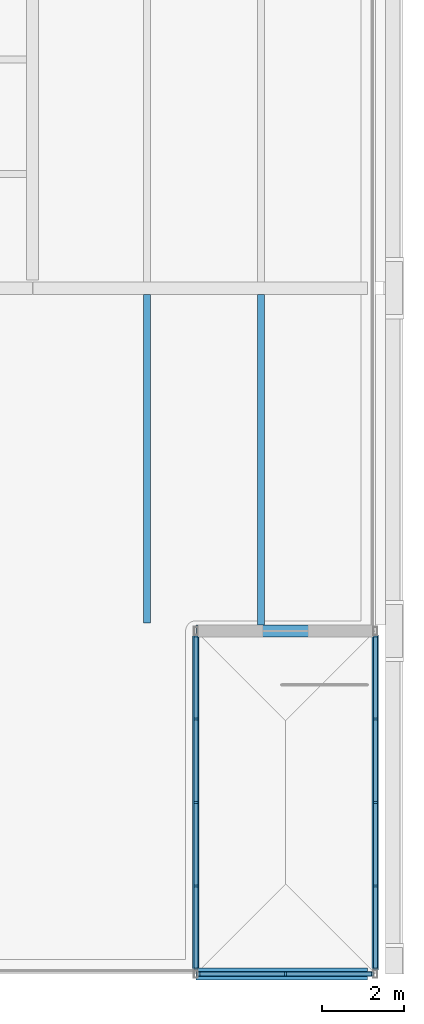
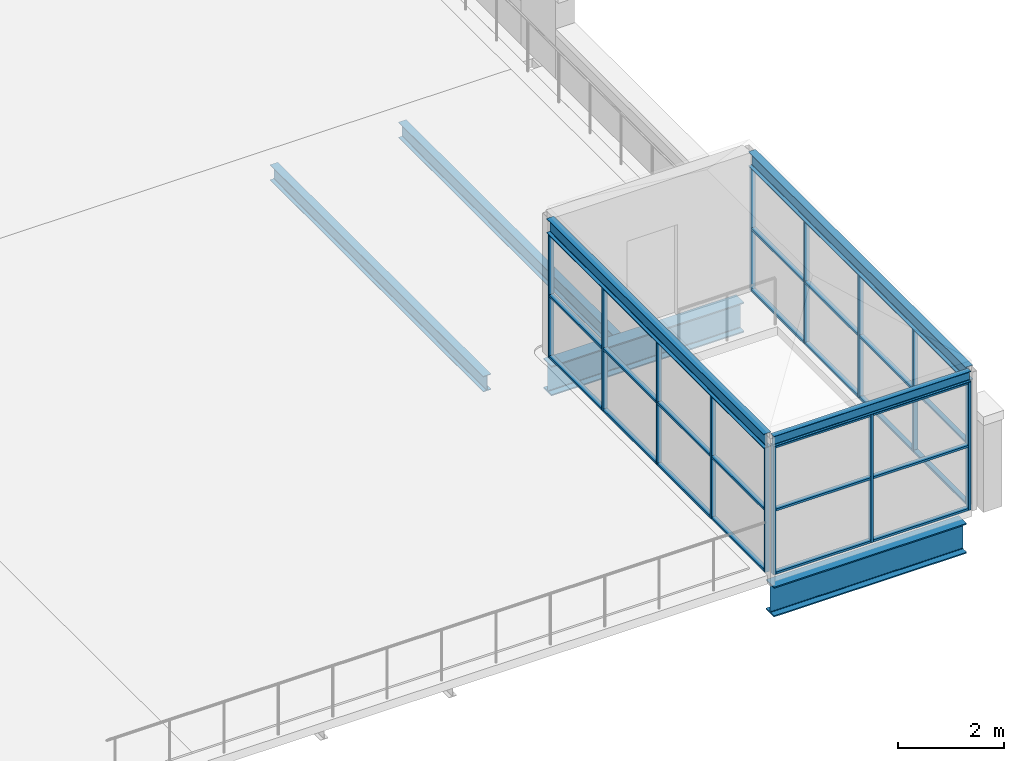
# One storey, part 26 of 58: 43 members, 7 beams, 3 elements without a shape of their own.
"""IFC4 building model written with IfcOpenShell, lengths in metres."""

from ifc_helpers import new_model, si_unit, direction, frame, origin, origin_2d, place, context, subcontext, project, spatial, rectangle, i_section, extrude, material, layer, layer_set, material_profile, profile_set, type_object, element, aggregate, save


model = new_model("IFC4")

# Units and contexts
model_context = context("Model", 3, precision=1e-05, world=origin(), true_north=direction((0.0, 1.0)))
body_context = subcontext(model_context, "Body", "Model", "MODEL_VIEW")
ifc_project = project(units=[si_unit("LENGTHUNIT", "METRE"), si_unit("AREAUNIT", "SQUARE_METRE"), si_unit("VOLUMEUNIT", "CUBIC_METRE"), si_unit("PLANEANGLEUNIT", "RADIAN"), si_unit("MASSUNIT", "GRAM", prefix="KILO")], contexts=[model_context])

# Site, building, storey
site_placement = place(None, origin())
site = spatial("IfcSite", under=ifc_project, at=site_placement, CompositionType="ELEMENT")
building_placement = place(site_placement, origin())
building = spatial("IfcBuilding", under=site, at=building_placement, Name="Galleria Vessillo Department Store", CompositionType="ELEMENT")
storey_placement = place(building_placement, frame((0.0, 0.0, 31.199951171875)))
storey = spatial("IfcBuildingStorey", under=building, at=storey_placement, Name="L06", CompositionType="ELEMENT", Elevation=31.199951171875)

# Curtain wall, members
ifc_material_1 = material(Name="Aluminium and glass curtain wall", Category="aluminium")
ifc_layer = layer(ifc_material_1, 0.10009765625)
ifc_layer_set = layer_set([ifc_layer], Name="Aluminium and glass curtain wall")
curtain_wall_type = type_object("IfcCurtainWallType", Name="Pavilion curtain wall CW5 2100 module", PredefinedType="NOTDEFINED", material=ifc_layer_set)
curtain_wall_1_placement = place(storey_placement, origin())
curtain_wall_1 = element("IfcCurtainWall", 1, at=curtain_wall_1_placement, inside=storey, type_object=curtain_wall_type, Name="Pavilion curtain wall CW5 2100 module PV-ST7-A", PredefinedType="NOTDEFINED")
ifc_material_2 = material(Name="Aluminium alloy 6063 T6", Category="aluminium")
ifc_material_profile_1 = material_profile(ifc_material_2, rectangle(XDim=0.10009765625, YDim=0.050048828125, at=origin_2d()), Name="AL 50x100")
ifc_profile_set_1 = profile_set([ifc_material_profile_1], Name="Aluminium alloy 6063 T6")
member_type_1 = type_object("IfcMemberType", Name="Aluminium mullion 50 x 100", PredefinedType="MULLION", material=ifc_profile_set_1)
member_1_placement = place(storey_placement, frame((113.199951171875, 0.125, 0.0), z_axis=(0.0, 0.0, 1.0), x_axis=(-1.0, 0.0, 0.0)))
member_1 = element("IfcMember", 2, at=member_1_placement, type_object=member_type_1, Name="CW5 mullion 1", PredefinedType="MULLION", context=body_context, shape_type="SweptSolid", body=[
    extrude(rectangle(XDim=0.10009765625, YDim=0.050048828125, at=origin_2d()), origin(), (0.0, 0.0, 1.0), 2.8701171875),
])
member_2_placement = place(storey_placement, frame((113.199951171875, 2.14990234375, 0.0), z_axis=(0.0, 0.0, 1.0), x_axis=(-1.0, 0.0, 0.0)))
member_2 = element("IfcMember", 3, at=member_2_placement, type_object=member_type_1, Name="CW5 mullion 2", PredefinedType="MULLION", context=body_context, shape_type="SweptSolid", body=[
    extrude(rectangle(XDim=0.10009765625, YDim=0.050048828125, at=origin_2d()), origin(), (0.0, 0.0, 1.0), 2.8701171875),
])
member_3_placement = place(storey_placement, frame((113.199951171875, 4.199951171875, 0.0), z_axis=(0.0, 0.0, 1.0), x_axis=(-1.0, 0.0, 0.0)))
member_3 = element("IfcMember", 4, at=member_3_placement, type_object=member_type_1, Name="CW5 mullion 3", PredefinedType="MULLION", context=body_context, shape_type="SweptSolid", body=[
    extrude(rectangle(XDim=0.10009765625, YDim=0.050048828125, at=origin_2d()), origin(), (0.0, 0.0, 1.0), 2.8701171875),
])
member_4_placement = place(storey_placement, frame((113.199951171875, 6.25, 0.0), z_axis=(0.0, 0.0, 1.0), x_axis=(-1.0, 0.0, 0.0)))
member_4 = element("IfcMember", 5, at=member_4_placement, type_object=member_type_1, Name="CW5 mullion 4", PredefinedType="MULLION", context=body_context, shape_type="SweptSolid", body=[
    extrude(rectangle(XDim=0.10009765625, YDim=0.050048828125, at=origin_2d()), origin(), (0.0, 0.0, 1.0), 2.8701171875),
])
member_5_placement = place(storey_placement, frame((113.199951171875, 8.27490234375, 0.0), z_axis=(0.0, 0.0, 1.0), x_axis=(-1.0, 0.0, 0.0)))
member_5 = element("IfcMember", 6, at=member_5_placement, type_object=member_type_1, Name="CW5 mullion 5", PredefinedType="MULLION", context=body_context, shape_type="SweptSolid", body=[
    extrude(rectangle(XDim=0.10009765625, YDim=0.050048828125, at=origin_2d()), origin(), (0.0, 0.0, 1.0), 2.8701171875),
])

curtain_wall_2_placement = place(storey_placement, origin())
curtain_wall_2 = element("IfcCurtainWall", 7, at=curtain_wall_2_placement, inside=storey, type_object=curtain_wall_type, Name="Pavilion curtain wall CW5 2100 module PV-ST7-B", PredefinedType="NOTDEFINED")
member_6_placement = place(storey_placement, frame((117.60009765625, 0.125, 0.0), z_axis=(0.0, 0.0, 1.0), x_axis=(-1.0, 0.0, 0.0)))
member_6 = element("IfcMember", 8, at=member_6_placement, type_object=member_type_1, Name="CW5 mullion 1", PredefinedType="MULLION", context=body_context, shape_type="SweptSolid", body=[
    extrude(rectangle(XDim=0.10009765625, YDim=0.050048828125, at=origin_2d()), origin(), (0.0, 0.0, 1.0), 2.8701171875),
])
member_7_placement = place(storey_placement, frame((117.60009765625, 2.14990234375, 0.0), z_axis=(0.0, 0.0, 1.0), x_axis=(-1.0, 0.0, 0.0)))
member_7 = element("IfcMember", 9, at=member_7_placement, type_object=member_type_1, Name="CW5 mullion 2", PredefinedType="MULLION", context=body_context, shape_type="SweptSolid", body=[
    extrude(rectangle(XDim=0.10009765625, YDim=0.050048828125, at=origin_2d()), origin(), (0.0, 0.0, 1.0), 2.8701171875),
])
member_8_placement = place(storey_placement, frame((117.60009765625, 4.199951171875, 0.0), z_axis=(0.0, 0.0, 1.0), x_axis=(-1.0, 0.0, 0.0)))
member_8 = element("IfcMember", 10, at=member_8_placement, type_object=member_type_1, Name="CW5 mullion 3", PredefinedType="MULLION", context=body_context, shape_type="SweptSolid", body=[
    extrude(rectangle(XDim=0.10009765625, YDim=0.050048828125, at=origin_2d()), origin(), (0.0, 0.0, 1.0), 2.8701171875),
])
member_9_placement = place(storey_placement, frame((117.60009765625, 6.25, 0.0), z_axis=(0.0, 0.0, 1.0), x_axis=(-1.0, 0.0, 0.0)))
member_9 = element("IfcMember", 11, at=member_9_placement, type_object=member_type_1, Name="CW5 mullion 4", PredefinedType="MULLION", context=body_context, shape_type="SweptSolid", body=[
    extrude(rectangle(XDim=0.10009765625, YDim=0.050048828125, at=origin_2d()), origin(), (0.0, 0.0, 1.0), 2.8701171875),
])
member_10_placement = place(storey_placement, frame((117.60009765625, 8.27490234375, 0.0), z_axis=(0.0, 0.0, 1.0), x_axis=(-1.0, 0.0, 0.0)))
member_10 = element("IfcMember", 12, at=member_10_placement, type_object=member_type_1, Name="CW5 mullion 5", PredefinedType="MULLION", context=body_context, shape_type="SweptSolid", body=[
    extrude(rectangle(XDim=0.10009765625, YDim=0.050048828125, at=origin_2d()), origin(), (0.0, 0.0, 1.0), 2.8701171875),
])

curtain_wall_3_placement = place(storey_placement, origin())
curtain_wall_3 = element("IfcCurtainWall", 13, at=curtain_wall_3_placement, inside=storey, type_object=curtain_wall_type, Name="Pavilion curtain wall CW5 2100 module PV-ST7-F", PredefinedType="NOTDEFINED")
member_11_placement = place(storey_placement, frame((113.27490234375, 0.0, 0.0), z_axis=(0.0, 0.0, 1.0), x_axis=(0.0, 1.0, 0.0)))
member_11 = element("IfcMember", 14, at=member_11_placement, type_object=member_type_1, Name="CW5 mullion 1", PredefinedType="MULLION", context=body_context, shape_type="SweptSolid", body=[
    extrude(rectangle(XDim=0.10009765625, YDim=0.050048828125, at=origin_2d()), origin(), (0.0, 0.0, 1.0), 2.960205078125),
])
member_12_placement = place(storey_placement, frame((115.39990234375, 0.0, 0.0), z_axis=(0.0, 0.0, 1.0), x_axis=(0.0, 1.0, 0.0)))
member_12 = element("IfcMember", 15, at=member_12_placement, type_object=member_type_1, Name="CW5 mullion 2", PredefinedType="MULLION", context=body_context, shape_type="SweptSolid", body=[
    extrude(rectangle(XDim=0.10009765625, YDim=0.050048828125, at=origin_2d()), origin(), (0.0, 0.0, 1.0), 2.960205078125),
])
member_13_placement = place(storey_placement, frame((117.525146484375, 0.0, 0.0), z_axis=(0.0, 0.0, 1.0), x_axis=(0.0, 1.0, 0.0)))
member_13 = element("IfcMember", 16, at=member_13_placement, type_object=member_type_1, Name="CW5 mullion 3", PredefinedType="MULLION", context=body_context, shape_type="SweptSolid", body=[
    extrude(rectangle(XDim=0.10009765625, YDim=0.050048828125, at=origin_2d()), origin(), (0.0, 0.0, 1.0), 2.960205078125),
])

# Member
ifc_material_3 = material(Name="Aluminium alloy 6063 T6", Category="aluminium")
ifc_material_profile_2 = material_profile(ifc_material_3, rectangle(XDim=0.10009765625, YDim=0.050048828125, at=origin_2d()), Name="AL 50x100")
ifc_profile_set_2 = profile_set([ifc_material_profile_2], Name="Aluminium alloy 6063 T6")
member_type_2 = type_object("IfcMemberType", Name="Aluminium transom 50 x 100", PredefinedType="USERDEFINED", material=ifc_profile_set_2)
member_14_placement = place(storey_placement, frame((113.199951171875, 0.14990234375, 0.025146484375), z_axis=(0.0, 1.0, 0.0), x_axis=(-1.0, 0.0, 0.0)))
member_14 = element("IfcMember", 17, at=member_14_placement, type_object=member_type_2, Name="CW5 transom 1.1", ObjectType="TRANSOM", PredefinedType="USERDEFINED", context=body_context, shape_type="SweptSolid", body=[
    extrude(rectangle(XDim=0.10009765625, YDim=0.050048828125, at=origin_2d()), origin(), (0.0, 0.0, 1.0), 1.97509765625),
])

member_15_placement = place(storey_placement, frame((113.199951171875, 0.14990234375, 1.43505859375), z_axis=(0.0, 1.0, 0.0), x_axis=(-1.0, 0.0, 0.0)))
member_15 = element("IfcMember", 18, at=member_15_placement, type_object=member_type_2, Name="CW5 transom 1.2", ObjectType="TRANSOM", PredefinedType="USERDEFINED", context=body_context, shape_type="SweptSolid", body=[
    extrude(rectangle(XDim=0.10009765625, YDim=0.050048828125, at=origin_2d()), origin(), (0.0, 0.0, 1.0), 1.97509765625),
])

member_16_placement = place(storey_placement, frame((113.199951171875, 0.14990234375, 2.84521484375), z_axis=(0.0, 1.0, 0.0), x_axis=(-1.0, 0.0, 0.0)))
member_16 = element("IfcMember", 19, at=member_16_placement, type_object=member_type_2, Name="CW5 transom 1.3", ObjectType="TRANSOM", PredefinedType="USERDEFINED", context=body_context, shape_type="SweptSolid", body=[
    extrude(rectangle(XDim=0.10009765625, YDim=0.050048828125, at=origin_2d()), origin(), (0.0, 0.0, 1.0), 1.97509765625),
])

member_17_placement = place(storey_placement, frame((113.199951171875, 2.175048828125, 0.025146484375), z_axis=(0.0, 1.0, 0.0), x_axis=(-1.0, 0.0, 0.0)))
member_17 = element("IfcMember", 20, at=member_17_placement, type_object=member_type_2, Name="CW5 transom 2.1", ObjectType="TRANSOM", PredefinedType="USERDEFINED", context=body_context, shape_type="SweptSolid", body=[
    extrude(rectangle(XDim=0.10009765625, YDim=0.050048828125, at=origin_2d()), origin(), (0.0, 0.0, 1.0), 2.0),
])

member_18_placement = place(storey_placement, frame((113.199951171875, 2.175048828125, 1.43505859375), z_axis=(0.0, 1.0, 0.0), x_axis=(-1.0, 0.0, 0.0)))
member_18 = element("IfcMember", 21, at=member_18_placement, type_object=member_type_2, Name="CW5 transom 2.2", ObjectType="TRANSOM", PredefinedType="USERDEFINED", context=body_context, shape_type="SweptSolid", body=[
    extrude(rectangle(XDim=0.10009765625, YDim=0.050048828125, at=origin_2d()), origin(), (0.0, 0.0, 1.0), 2.0),
])

member_19_placement = place(storey_placement, frame((113.199951171875, 2.175048828125, 2.84521484375), z_axis=(0.0, 1.0, 0.0), x_axis=(-1.0, 0.0, 0.0)))
member_19 = element("IfcMember", 22, at=member_19_placement, type_object=member_type_2, Name="CW5 transom 2.3", ObjectType="TRANSOM", PredefinedType="USERDEFINED", context=body_context, shape_type="SweptSolid", body=[
    extrude(rectangle(XDim=0.10009765625, YDim=0.050048828125, at=origin_2d()), origin(), (0.0, 0.0, 1.0), 2.0),
])

member_20_placement = place(storey_placement, frame((113.199951171875, 4.224853515625, 0.025146484375), z_axis=(0.0, 1.0, 0.0), x_axis=(-1.0, 0.0, 0.0)))
member_20 = element("IfcMember", 23, at=member_20_placement, type_object=member_type_2, Name="CW5 transom 3.1", ObjectType="TRANSOM", PredefinedType="USERDEFINED", context=body_context, shape_type="SweptSolid", body=[
    extrude(rectangle(XDim=0.10009765625, YDim=0.050048828125, at=origin_2d()), origin(), (0.0, 0.0, 1.0), 2.0),
])

member_21_placement = place(storey_placement, frame((113.199951171875, 4.224853515625, 1.43505859375), z_axis=(0.0, 1.0, 0.0), x_axis=(-1.0, 0.0, 0.0)))
member_21 = element("IfcMember", 24, at=member_21_placement, type_object=member_type_2, Name="CW5 transom 3.2", ObjectType="TRANSOM", PredefinedType="USERDEFINED", context=body_context, shape_type="SweptSolid", body=[
    extrude(rectangle(XDim=0.10009765625, YDim=0.050048828125, at=origin_2d()), origin(), (0.0, 0.0, 1.0), 2.0),
])

member_22_placement = place(storey_placement, frame((113.199951171875, 4.224853515625, 2.84521484375), z_axis=(0.0, 1.0, 0.0), x_axis=(-1.0, 0.0, 0.0)))
member_22 = element("IfcMember", 25, at=member_22_placement, type_object=member_type_2, Name="CW5 transom 3.3", ObjectType="TRANSOM", PredefinedType="USERDEFINED", context=body_context, shape_type="SweptSolid", body=[
    extrude(rectangle(XDim=0.10009765625, YDim=0.050048828125, at=origin_2d()), origin(), (0.0, 0.0, 1.0), 2.0),
])

member_23_placement = place(storey_placement, frame((113.199951171875, 6.27490234375, 0.025146484375), z_axis=(0.0, 1.0, 0.0), x_axis=(-1.0, 0.0, 0.0)))
member_23 = element("IfcMember", 26, at=member_23_placement, type_object=member_type_2, Name="CW5 transom 4.1", ObjectType="TRANSOM", PredefinedType="USERDEFINED", context=body_context, shape_type="SweptSolid", body=[
    extrude(rectangle(XDim=0.10009765625, YDim=0.050048828125, at=origin_2d()), origin(), (0.0, 0.0, 1.0), 1.97509765625),
])

member_24_placement = place(storey_placement, frame((113.199951171875, 6.27490234375, 1.43505859375), z_axis=(0.0, 1.0, 0.0), x_axis=(-1.0, 0.0, 0.0)))
member_24 = element("IfcMember", 27, at=member_24_placement, type_object=member_type_2, Name="CW5 transom 4.2", ObjectType="TRANSOM", PredefinedType="USERDEFINED", context=body_context, shape_type="SweptSolid", body=[
    extrude(rectangle(XDim=0.10009765625, YDim=0.050048828125, at=origin_2d()), origin(), (0.0, 0.0, 1.0), 1.97509765625),
])

member_25_placement = place(storey_placement, frame((113.199951171875, 6.27490234375, 2.84521484375), z_axis=(0.0, 1.0, 0.0), x_axis=(-1.0, 0.0, 0.0)))
member_25 = element("IfcMember", 28, at=member_25_placement, type_object=member_type_2, Name="CW5 transom 4.3", ObjectType="TRANSOM", PredefinedType="USERDEFINED", context=body_context, shape_type="SweptSolid", body=[
    extrude(rectangle(XDim=0.10009765625, YDim=0.050048828125, at=origin_2d()), origin(), (0.0, 0.0, 1.0), 1.97509765625),
])

aggregate(curtain_wall_1, [member_1, member_2, member_3, member_4, member_5, member_14, member_15, member_16, member_17, member_18, member_19, member_20, member_21, member_22, member_23, member_24, member_25])

member_26_placement = place(storey_placement, frame((117.60009765625, 0.14990234375, 0.025146484375), z_axis=(0.0, 1.0, 0.0), x_axis=(-1.0, 0.0, 0.0)))
member_26 = element("IfcMember", 29, at=member_26_placement, type_object=member_type_2, Name="CW5 transom 1.1", ObjectType="TRANSOM", PredefinedType="USERDEFINED", context=body_context, shape_type="SweptSolid", body=[
    extrude(rectangle(XDim=0.10009765625, YDim=0.050048828125, at=origin_2d()), origin(), (0.0, 0.0, 1.0), 1.97509765625),
])

member_27_placement = place(storey_placement, frame((117.60009765625, 0.14990234375, 1.43505859375), z_axis=(0.0, 1.0, 0.0), x_axis=(-1.0, 0.0, 0.0)))
member_27 = element("IfcMember", 30, at=member_27_placement, type_object=member_type_2, Name="CW5 transom 1.2", ObjectType="TRANSOM", PredefinedType="USERDEFINED", context=body_context, shape_type="SweptSolid", body=[
    extrude(rectangle(XDim=0.10009765625, YDim=0.050048828125, at=origin_2d()), origin(), (0.0, 0.0, 1.0), 1.97509765625),
])

member_28_placement = place(storey_placement, frame((117.60009765625, 0.14990234375, 2.84521484375), z_axis=(0.0, 1.0, 0.0), x_axis=(-1.0, 0.0, 0.0)))
member_28 = element("IfcMember", 31, at=member_28_placement, type_object=member_type_2, Name="CW5 transom 1.3", ObjectType="TRANSOM", PredefinedType="USERDEFINED", context=body_context, shape_type="SweptSolid", body=[
    extrude(rectangle(XDim=0.10009765625, YDim=0.050048828125, at=origin_2d()), origin(), (0.0, 0.0, 1.0), 1.97509765625),
])

member_29_placement = place(storey_placement, frame((117.60009765625, 2.175048828125, 0.025146484375), z_axis=(0.0, 1.0, 0.0), x_axis=(-1.0, 0.0, 0.0)))
member_29 = element("IfcMember", 32, at=member_29_placement, type_object=member_type_2, Name="CW5 transom 2.1", ObjectType="TRANSOM", PredefinedType="USERDEFINED", context=body_context, shape_type="SweptSolid", body=[
    extrude(rectangle(XDim=0.10009765625, YDim=0.050048828125, at=origin_2d()), origin(), (0.0, 0.0, 1.0), 2.0),
])

member_30_placement = place(storey_placement, frame((117.60009765625, 2.175048828125, 1.43505859375), z_axis=(0.0, 1.0, 0.0), x_axis=(-1.0, 0.0, 0.0)))
member_30 = element("IfcMember", 33, at=member_30_placement, type_object=member_type_2, Name="CW5 transom 2.2", ObjectType="TRANSOM", PredefinedType="USERDEFINED", context=body_context, shape_type="SweptSolid", body=[
    extrude(rectangle(XDim=0.10009765625, YDim=0.050048828125, at=origin_2d()), origin(), (0.0, 0.0, 1.0), 2.0),
])

member_31_placement = place(storey_placement, frame((117.60009765625, 2.175048828125, 2.84521484375), z_axis=(0.0, 1.0, 0.0), x_axis=(-1.0, 0.0, 0.0)))
member_31 = element("IfcMember", 34, at=member_31_placement, type_object=member_type_2, Name="CW5 transom 2.3", ObjectType="TRANSOM", PredefinedType="USERDEFINED", context=body_context, shape_type="SweptSolid", body=[
    extrude(rectangle(XDim=0.10009765625, YDim=0.050048828125, at=origin_2d()), origin(), (0.0, 0.0, 1.0), 2.0),
])

member_32_placement = place(storey_placement, frame((117.60009765625, 4.224853515625, 0.025146484375), z_axis=(0.0, 1.0, 0.0), x_axis=(-1.0, 0.0, 0.0)))
member_32 = element("IfcMember", 35, at=member_32_placement, type_object=member_type_2, Name="CW5 transom 3.1", ObjectType="TRANSOM", PredefinedType="USERDEFINED", context=body_context, shape_type="SweptSolid", body=[
    extrude(rectangle(XDim=0.10009765625, YDim=0.050048828125, at=origin_2d()), origin(), (0.0, 0.0, 1.0), 2.0),
])

member_33_placement = place(storey_placement, frame((117.60009765625, 4.224853515625, 1.43505859375), z_axis=(0.0, 1.0, 0.0), x_axis=(-1.0, 0.0, 0.0)))
member_33 = element("IfcMember", 36, at=member_33_placement, type_object=member_type_2, Name="CW5 transom 3.2", ObjectType="TRANSOM", PredefinedType="USERDEFINED", context=body_context, shape_type="SweptSolid", body=[
    extrude(rectangle(XDim=0.10009765625, YDim=0.050048828125, at=origin_2d()), origin(), (0.0, 0.0, 1.0), 2.0),
])

member_34_placement = place(storey_placement, frame((117.60009765625, 4.224853515625, 2.84521484375), z_axis=(0.0, 1.0, 0.0), x_axis=(-1.0, 0.0, 0.0)))
member_34 = element("IfcMember", 37, at=member_34_placement, type_object=member_type_2, Name="CW5 transom 3.3", ObjectType="TRANSOM", PredefinedType="USERDEFINED", context=body_context, shape_type="SweptSolid", body=[
    extrude(rectangle(XDim=0.10009765625, YDim=0.050048828125, at=origin_2d()), origin(), (0.0, 0.0, 1.0), 2.0),
])

member_35_placement = place(storey_placement, frame((117.60009765625, 6.27490234375, 0.025146484375), z_axis=(0.0, 1.0, 0.0), x_axis=(-1.0, 0.0, 0.0)))
member_35 = element("IfcMember", 38, at=member_35_placement, type_object=member_type_2, Name="CW5 transom 4.1", ObjectType="TRANSOM", PredefinedType="USERDEFINED", context=body_context, shape_type="SweptSolid", body=[
    extrude(rectangle(XDim=0.10009765625, YDim=0.050048828125, at=origin_2d()), origin(), (0.0, 0.0, 1.0), 1.97509765625),
])

member_36_placement = place(storey_placement, frame((117.60009765625, 6.27490234375, 1.43505859375), z_axis=(0.0, 1.0, 0.0), x_axis=(-1.0, 0.0, 0.0)))
member_36 = element("IfcMember", 39, at=member_36_placement, type_object=member_type_2, Name="CW5 transom 4.2", ObjectType="TRANSOM", PredefinedType="USERDEFINED", context=body_context, shape_type="SweptSolid", body=[
    extrude(rectangle(XDim=0.10009765625, YDim=0.050048828125, at=origin_2d()), origin(), (0.0, 0.0, 1.0), 1.97509765625),
])

member_37_placement = place(storey_placement, frame((117.60009765625, 6.27490234375, 2.84521484375), z_axis=(0.0, 1.0, 0.0), x_axis=(-1.0, 0.0, 0.0)))
member_37 = element("IfcMember", 40, at=member_37_placement, type_object=member_type_2, Name="CW5 transom 4.3", ObjectType="TRANSOM", PredefinedType="USERDEFINED", context=body_context, shape_type="SweptSolid", body=[
    extrude(rectangle(XDim=0.10009765625, YDim=0.050048828125, at=origin_2d()), origin(), (0.0, 0.0, 1.0), 1.97509765625),
])

aggregate(curtain_wall_2, [member_6, member_7, member_8, member_9, member_10, member_26, member_27, member_28, member_29, member_30, member_31, member_32, member_33, member_34, member_35, member_36, member_37])

member_38_placement = place(storey_placement, frame((113.300048828125, 0.0, 0.025146484375), z_axis=(1.0, 0.0, 0.0), x_axis=(0.0, 1.0, 0.0)))
member_38 = element("IfcMember", 41, at=member_38_placement, type_object=member_type_2, Name="CW5 transom 1.1", ObjectType="TRANSOM", PredefinedType="USERDEFINED", context=body_context, shape_type="SweptSolid", body=[
    extrude(rectangle(XDim=0.10009765625, YDim=0.050048828125, at=origin_2d()), origin(), (0.0, 0.0, 1.0), 2.074951171875),
])

member_39_placement = place(storey_placement, frame((113.300048828125, 0.0, 1.480224609375), z_axis=(1.0, 0.0, 0.0), x_axis=(0.0, 1.0, 0.0)))
member_39 = element("IfcMember", 42, at=member_39_placement, type_object=member_type_2, Name="CW5 transom 1.2", ObjectType="TRANSOM", PredefinedType="USERDEFINED", context=body_context, shape_type="SweptSolid", body=[
    extrude(rectangle(XDim=0.10009765625, YDim=0.050048828125, at=origin_2d()), origin(), (0.0, 0.0, 1.0), 2.074951171875),
])

member_40_placement = place(storey_placement, frame((113.300048828125, 0.0, 2.935302734375), z_axis=(1.0, 0.0, 0.0), x_axis=(0.0, 1.0, 0.0)))
member_40 = element("IfcMember", 43, at=member_40_placement, type_object=member_type_2, Name="CW5 transom 1.3", ObjectType="TRANSOM", PredefinedType="USERDEFINED", context=body_context, shape_type="SweptSolid", body=[
    extrude(rectangle(XDim=0.10009765625, YDim=0.050048828125, at=origin_2d()), origin(), (0.0, 0.0, 1.0), 2.074951171875),
])

member_41_placement = place(storey_placement, frame((115.425048828125, 0.0, 0.025146484375), z_axis=(1.0, 0.0, 0.0), x_axis=(0.0, 1.0, 0.0)))
member_41 = element("IfcMember", 44, at=member_41_placement, type_object=member_type_2, Name="CW5 transom 2.1", ObjectType="TRANSOM", PredefinedType="USERDEFINED", context=body_context, shape_type="SweptSolid", body=[
    extrude(rectangle(XDim=0.10009765625, YDim=0.050048828125, at=origin_2d()), origin(), (0.0, 0.0, 1.0), 2.074951171875),
])

member_42_placement = place(storey_placement, frame((115.425048828125, 0.0, 1.480224609375), z_axis=(1.0, 0.0, 0.0), x_axis=(0.0, 1.0, 0.0)))
member_42 = element("IfcMember", 45, at=member_42_placement, type_object=member_type_2, Name="CW5 transom 2.2", ObjectType="TRANSOM", PredefinedType="USERDEFINED", context=body_context, shape_type="SweptSolid", body=[
    extrude(rectangle(XDim=0.10009765625, YDim=0.050048828125, at=origin_2d()), origin(), (0.0, 0.0, 1.0), 2.074951171875),
])

member_43_placement = place(storey_placement, frame((115.425048828125, 0.0, 2.935302734375), z_axis=(1.0, 0.0, 0.0), x_axis=(0.0, 1.0, 0.0)))
member_43 = element("IfcMember", 46, at=member_43_placement, type_object=member_type_2, Name="CW5 transom 2.3", ObjectType="TRANSOM", PredefinedType="USERDEFINED", context=body_context, shape_type="SweptSolid", body=[
    extrude(rectangle(XDim=0.10009765625, YDim=0.050048828125, at=origin_2d()), origin(), (0.0, 0.0, 1.0), 2.074951171875),
])

aggregate(curtain_wall_3, [member_11, member_12, member_13, member_38, member_39, member_40, member_41, member_42, member_43])

# Beams
ifc_material_4 = material(Name="Steel S355 J2", Category="steel")
ifc_material_profile_3 = material_profile(ifc_material_4, i_section(OverallWidth=0.169921875, OverallDepth=0.360107421875, WebThickness=0.008056640625, FlangeThickness=0.0126953125, FilletRadius=0.01806640625, at=origin_2d()), Name="IPE 360")
ifc_profile_set_3 = profile_set([ifc_material_profile_3], Name="Steel S355 J2")
beam_type_1 = type_object("IfcBeamType", Name="Floor joist IPE 360", PredefinedType="JOIST", material=ifc_profile_set_3)
beam_1_placement = place(storey_placement, frame((112.0, 8.60009765625, -0.3798828125), z_axis=(0.0, 1.0, 0.0), x_axis=(-1.0, 0.0, 0.0)))
element("IfcBeam", 47, at=beam_1_placement, inside=storey, type_object=beam_type_1, Name="S-BM-L06-JO-y112000-8600", PredefinedType="JOIST", context=body_context, shape_type="SweptSolid", body=[
    extrude(i_section(OverallWidth=0.169921875, OverallDepth=0.360107421875, WebThickness=0.008056640625, FlangeThickness=0.0126953125, FilletRadius=0.01806640625, at=origin_2d()), origin(), (0.0, 0.0, 1.0), 8.0498046875),
])
beam_2_placement = place(storey_placement, frame((114.800048828125, 8.550048828125, -0.3798828125), z_axis=(0.0, 1.0, 0.0), x_axis=(-1.0, 0.0, 0.0)))
element("IfcBeam", 48, at=beam_2_placement, inside=storey, type_object=beam_type_1, Name="S-BM-L06-JO-y114800-8550", PredefinedType="JOIST", context=body_context, shape_type="SweptSolid", body=[
    extrude(i_section(OverallWidth=0.169921875, OverallDepth=0.360107421875, WebThickness=0.008056640625, FlangeThickness=0.0126953125, FilletRadius=0.01806640625, at=origin_2d()), origin(), (0.0, 0.0, 1.0), 8.099853515625),
])
ifc_material_5 = material(Name="Steel S355 J2", Category="steel")
ifc_material_profile_4 = material_profile(ifc_material_5, i_section(OverallWidth=0.300048828125, OverallDepth=0.68994140625, WebThickness=0.014404296875, FlangeThickness=0.027099609375, FilletRadius=0.027099609375, at=origin_2d()), Name="HEA 700")
ifc_profile_set_4 = profile_set([ifc_material_profile_4], Name="Steel S355 J2")
beam_type_2 = type_object("IfcBeamType", Name="Pavilion base beam HEA 700", PredefinedType="BEAM", material=ifc_profile_set_4)
for number, where, z_axis, x_axis, name in (
    (49, (113.2001953125, 0.0, -0.544921875), (1.0, 0.0, 0.0), (0.0, 1.0, 0.0), "S-BB-ST7-PW1"),
    (50, (113.2001953125, 8.39990234375, -0.544921875), (1.0, 0.0, 0.0), (0.0, 1.0, 0.0), "S-BB-ST7-DW1"),
):
    element("IfcBeam", number, at=place(storey_placement, frame(where, z_axis=z_axis, x_axis=x_axis)), inside=storey, type_object=beam_type_2, Name=name, PredefinedType="BEAM", context=body_context, shape_type="SweptSolid", body=[
        extrude(i_section(OverallWidth=0.300048828125, OverallDepth=0.68994140625, WebThickness=0.014404296875, FlangeThickness=0.027099609375, FilletRadius=0.027099609375, at=origin_2d()), origin(), (0.0, 0.0, 1.0), 4.19970703125),
    ])
ifc_material_6 = material(Name="Steel S355 J2", Category="steel")
ifc_material_profile_5 = material_profile(ifc_material_6, i_section(OverallWidth=0.1201171875, OverallDepth=0.239990234375, WebThickness=0.006103515625, FlangeThickness=0.009765625, FilletRadius=0.014892578125, at=origin_2d()), Name="IPE 240")
ifc_profile_set_5 = profile_set([ifc_material_profile_5], Name="Steel S355 J2")
beam_type_3 = type_object("IfcBeamType", Name="Roof end beam IPE 240", PredefinedType="BEAM", material=ifc_profile_set_5)
beam_3_placement = place(storey_placement, frame((113.25, 0.0, 3.080078125), z_axis=(1.0, 0.0, 0.0), x_axis=(0.0, 1.0, 0.0)))
element("IfcBeam", 51, at=beam_3_placement, inside=storey, type_object=beam_type_3, Name="S-RB-ST7-P", PredefinedType="BEAM", context=body_context, shape_type="SweptSolid", body=[
    extrude(i_section(OverallWidth=0.1201171875, OverallDepth=0.239990234375, WebThickness=0.006103515625, FlangeThickness=0.009765625, FilletRadius=0.014892578125, at=origin_2d()), origin(), (0.0, 0.0, 1.0), 4.300048828125),
])
ifc_material_7 = material(Name="Steel S355 J2", Category="steel")
ifc_material_profile_6 = material_profile(ifc_material_7, i_section(OverallWidth=0.159912109375, OverallDepth=0.330078125, WebThickness=0.007568359375, FlangeThickness=0.011474609375, FilletRadius=0.01806640625, at=origin_2d()), Name="IPE 330")
ifc_profile_set_6 = profile_set([ifc_material_profile_6], Name="Steel S355 J2")
beam_type_4 = type_object("IfcBeamType", Name="Roof side beam IPE 330", PredefinedType="BEAM", material=ifc_profile_set_6)
for number, where, z_axis, x_axis, name in (
    (52, (113.199951171875, 0.10009765625, 3.03515625), (0.0, 1.0, 0.0), (-1.0, 0.0, 0.0), "S-RB-ST7-W"),
    (53, (117.60009765625, 0.10009765625, 3.03515625), (0.0, 1.0, 0.0), (-1.0, 0.0, 0.0), "S-RB-ST7-E"),
):
    element("IfcBeam", number, at=place(storey_placement, frame(where, z_axis=z_axis, x_axis=x_axis)), inside=storey, type_object=beam_type_4, Name=name, PredefinedType="BEAM", context=body_context, shape_type="SweptSolid", body=[
        extrude(i_section(OverallWidth=0.159912109375, OverallDepth=0.330078125, WebThickness=0.007568359375, FlangeThickness=0.011474609375, FilletRadius=0.01806640625, at=origin_2d()), origin(), (0.0, 0.0, 1.0), 8.19970703125),
    ])

save(model, "model.ifc")
